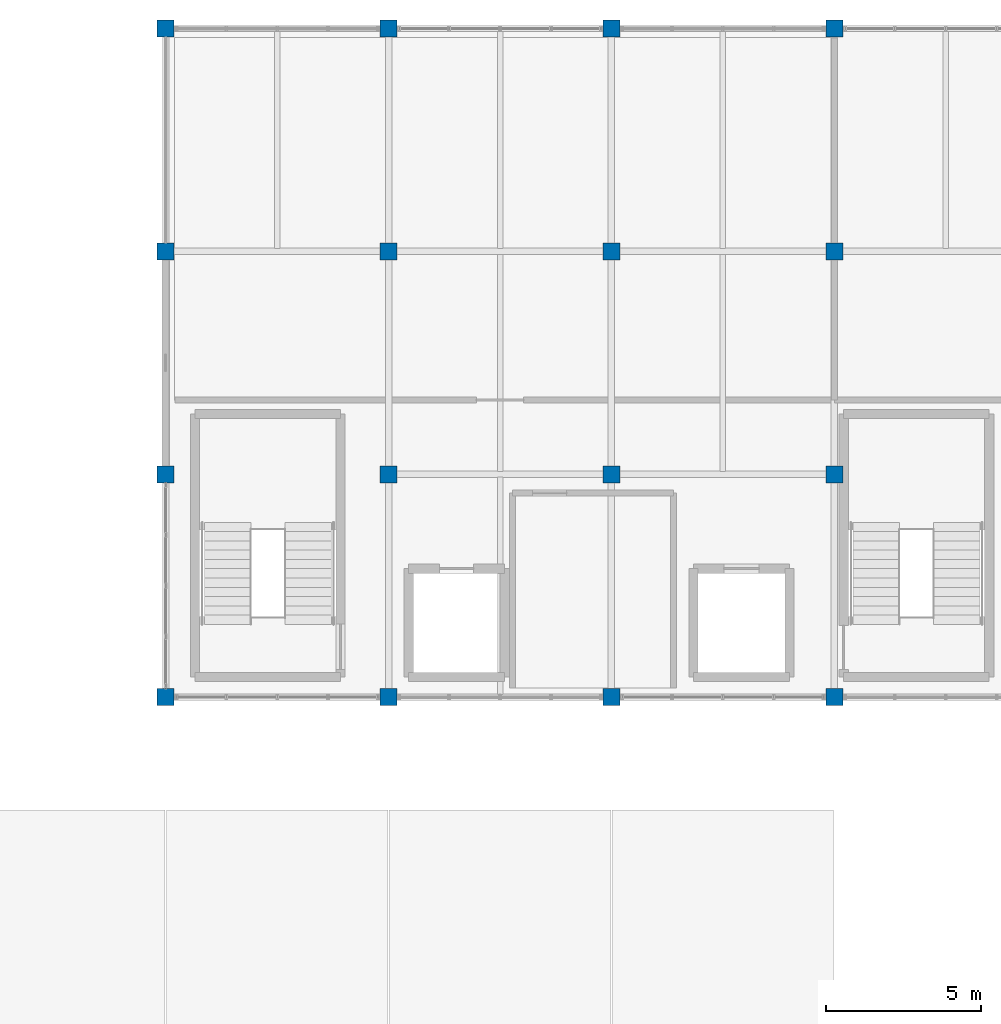
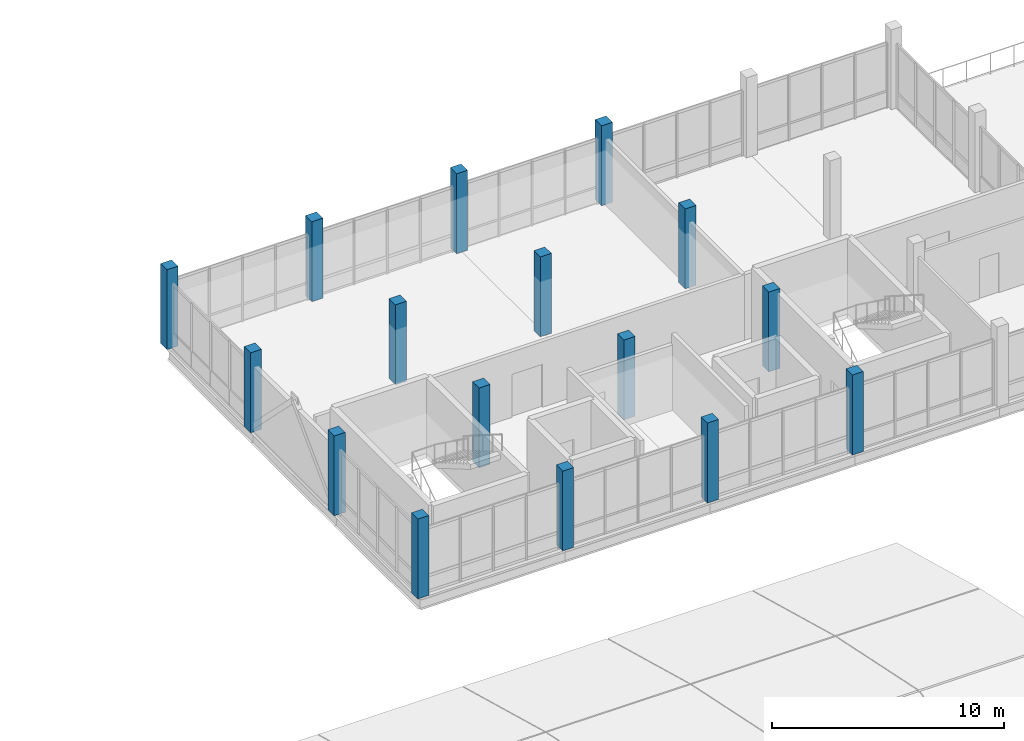
# One storey, part 2 of 47: 16 columns.
"""IFC4 building model written with IfcOpenShell, lengths in metres."""

from ifc_helpers import new_model, si_unit, direction, frame, origin, origin_2d, place, context, subcontext, project, spatial, rectangle, extrude, material, material_profile, profile_set, type_object, element, save


model = new_model("IFC4")

# Units and contexts
model_context = context("Model", 3, precision=1e-05, world=origin(), true_north=direction((0.0, 1.0)))
body_context = subcontext(model_context, "Body", "Model", "MODEL_VIEW")
ifc_project = project(units=[si_unit("LENGTHUNIT", "METRE"), si_unit("AREAUNIT", "SQUARE_METRE"), si_unit("VOLUMEUNIT", "CUBIC_METRE"), si_unit("PLANEANGLEUNIT", "RADIAN"), si_unit("MASSUNIT", "GRAM", prefix="KILO")], contexts=[model_context])

# Site, building, storey
site_placement = place(None, origin())
site = spatial("IfcSite", under=ifc_project, at=site_placement, CompositionType="ELEMENT")
building_placement = place(site_placement, origin())
building = spatial("IfcBuilding", under=site, at=building_placement, Name="Yarey Park Central Fire Station", CompositionType="ELEMENT")
storey_placement = place(building_placement, frame((0.0, 0.0, 18.0)))
storey = spatial("IfcBuildingStorey", under=building, at=storey_placement, Name="L05", CompositionType="ELEMENT", Elevation=18.0)

# Columns
ifc_material = material(Name="Concrete C40/50", Category="concrete")
ifc_material_profile_1 = material_profile(ifc_material, rectangle(XDim=0.550048828125, YDim=0.550048828125, at=origin_2d()), Name="RC 550x550")
ifc_profile_set_1 = profile_set([ifc_material_profile_1], Name="Concrete C40/50")
column_type_1 = type_object("IfcColumnType", Name="STR_COL_RC550_EXT", PredefinedType="COLUMN", material=ifc_profile_set_1)
for number, where, z_axis, x_axis, name in (
    (1, (115.199951171875, 93.60009765625, 0.0), (0.0, 0.0, 1.0), (1.0, 0.0, 0.0), "COL_L05_X1152_Y936"),
    (2, (115.199951171875, 100.800048828125, 0.0), (0.0, 0.0, 1.0), (1.0, 0.0, 0.0), "COL_L05_X1152_Y1008"),
    (3, (115.199951171875, 108.0, 0.0), (0.0, 0.0, 1.0), (1.0, 0.0, 0.0), "COL_L05_X1152_Y1080"),
    (4, (115.199951171875, 115.199951171875, 0.0), (0.0, 0.0, 1.0), (1.0, 0.0, 0.0), "COL_L05_X1152_Y1152"),
    (5, (122.39990234375, 93.60009765625, 0.0), (0.0, 0.0, 1.0), (1.0, 0.0, 0.0), "COL_L05_X1224_Y936"),
    (6, (122.39990234375, 115.199951171875, 0.0), (0.0, 0.0, 1.0), (1.0, 0.0, 0.0), "COL_L05_X1224_Y1152"),
    (7, (129.60009765625, 93.60009765625, 0.0), (0.0, 0.0, 1.0), (1.0, 0.0, 0.0), "COL_L05_X1296_Y936"),
    (8, (129.60009765625, 115.199951171875, 0.0), (0.0, 0.0, 1.0), (1.0, 0.0, 0.0), "COL_L05_X1296_Y1152"),
    (9, (136.800048828125, 93.60009765625, 0.0), (0.0, 0.0, 1.0), (1.0, 0.0, 0.0), "COL_L05_X1368_Y936"),
    (10, (136.800048828125, 115.199951171875, 0.0), (0.0, 0.0, 1.0), (1.0, 0.0, 0.0), "COL_L05_X1368_Y1152"),
):
    element("IfcColumn", number, at=place(storey_placement, frame(where, z_axis=z_axis, x_axis=x_axis)), inside=storey, type_object=column_type_1, Name=name, PredefinedType="COLUMN", context=body_context, shape_type="SweptSolid", body=[
        extrude(rectangle(XDim=0.550048828125, YDim=0.550048828125, at=origin_2d()), origin(), (0.0, 0.0, 1.0), 4.199951171875),
    ])
ifc_material_profile_2 = material_profile(ifc_material, rectangle(XDim=0.550048828125, YDim=0.550048828125, at=origin_2d()), Name="RC 550x550")
ifc_profile_set_2 = profile_set([ifc_material_profile_2], Name="Concrete C40/50")
column_type_2 = type_object("IfcColumnType", Name="STR_COL_RC550_INT", PredefinedType="COLUMN", material=ifc_profile_set_2)
for number, where, z_axis, x_axis, name in (
    (11, (122.39990234375, 100.800048828125, 0.0), (0.0, 0.0, 1.0), (1.0, 0.0, 0.0), "COL_L05_X1224_Y1008"),
    (12, (122.39990234375, 108.0, 0.0), (0.0, 0.0, 1.0), (1.0, 0.0, 0.0), "COL_L05_X1224_Y1080"),
    (13, (129.60009765625, 100.800048828125, 0.0), (0.0, 0.0, 1.0), (1.0, 0.0, 0.0), "COL_L05_X1296_Y1008"),
    (14, (129.60009765625, 108.0, 0.0), (0.0, 0.0, 1.0), (1.0, 0.0, 0.0), "COL_L05_X1296_Y1080"),
    (15, (136.800048828125, 100.800048828125, 0.0), (0.0, 0.0, 1.0), (1.0, 0.0, 0.0), "COL_L05_X1368_Y1008"),
    (16, (136.800048828125, 108.0, 0.0), (0.0, 0.0, 1.0), (1.0, 0.0, 0.0), "COL_L05_X1368_Y1080"),
):
    element("IfcColumn", number, at=place(storey_placement, frame(where, z_axis=z_axis, x_axis=x_axis)), inside=storey, type_object=column_type_2, Name=name, PredefinedType="COLUMN", context=body_context, shape_type="SweptSolid", body=[
        extrude(rectangle(XDim=0.550048828125, YDim=0.550048828125, at=origin_2d()), origin(), (0.0, 0.0, 1.0), 4.199951171875),
    ])

save(model, "model.ifc")
